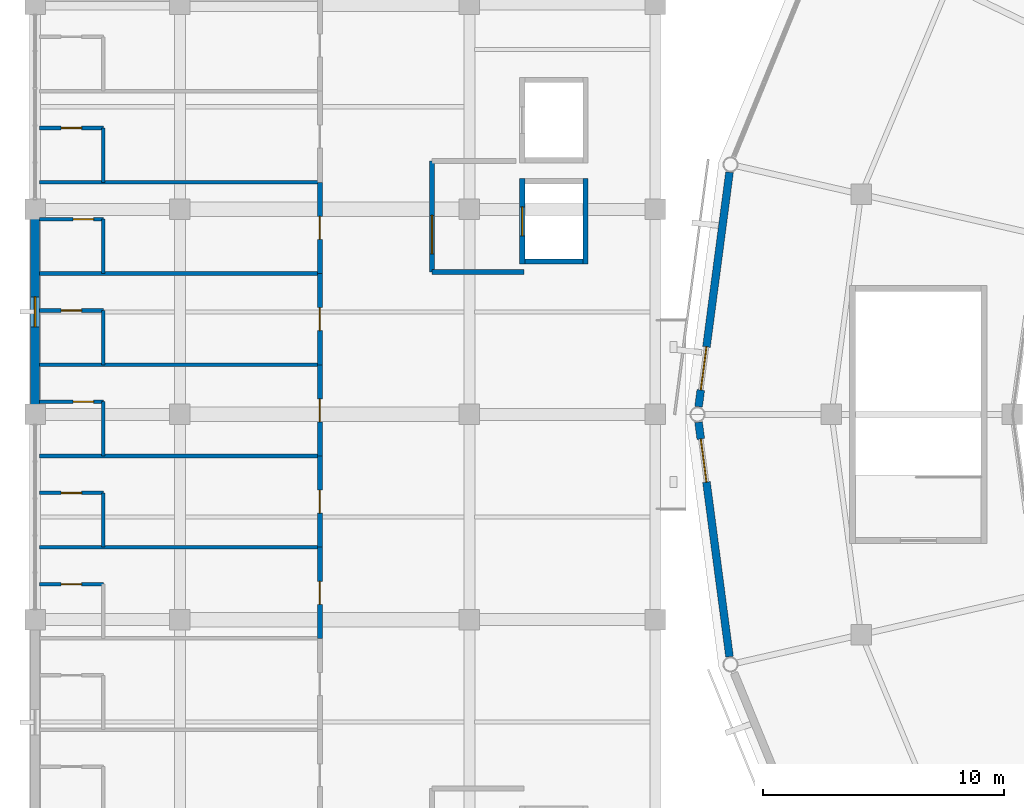
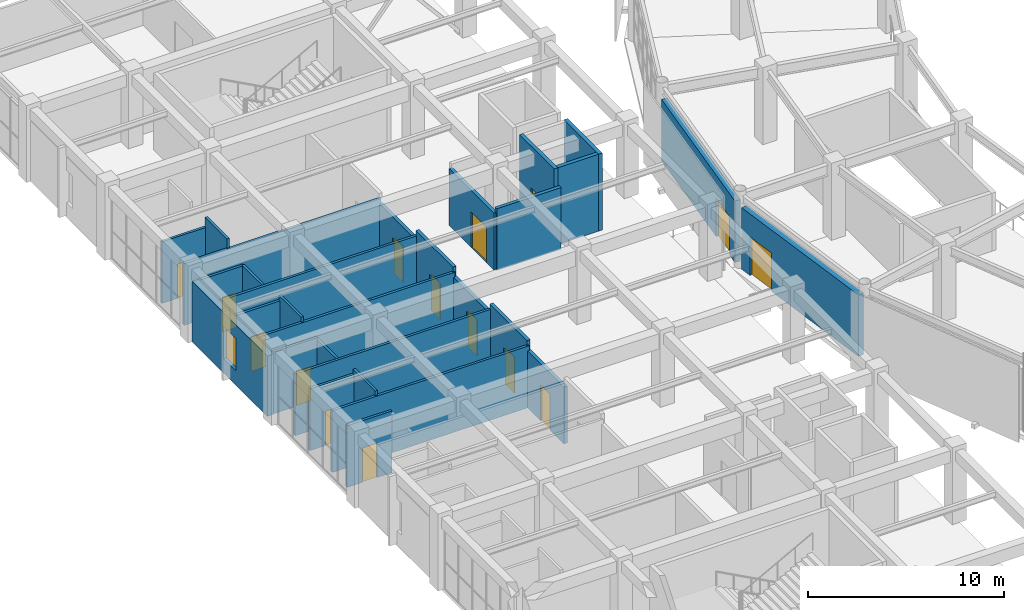
# One storey, part 83 of 112: 29 walls, 15 doors, 1 window, 16 openings.
"""IFC4 building model written with IfcOpenShell, lengths in metres."""

import ifcopenshell
import ifcopenshell.guid

model = None  # the IFC model being written
_history = None  # IfcOwnerHistory: only IFC2X3 demands one
_inside = {}  # id of a spatial element -> (the spatial element, [elements in it])
_under = {}  # id of a project, library or spatial element -> (it, [spatial elements below it])
_declared = {}  # id of a project -> (the project, [libraries it declares])
_typed = {}  # id of a type object -> (the type object, [elements of that type])
_made_of = {}  # id of a material, layer set ... -> (it, [elements and type objects made of it])


def new_model(schema):
    """Start an empty IFC model of exactly this schema.

    Asked for "IFC4X3", IfcOpenShell would pick the latest addendum, in which some entities
    have other attributes; the version numbers below select the first issue.
    IFC2X3 requires an IfcOwnerHistory on every rooted entity: one is made here for all.
    """
    global model, _history
    if schema == "IFC4X3":
        model = ifcopenshell.file(schema_version=(4, 3, 0, 0))
    else:
        model = ifcopenshell.file(schema=schema)
    _inside.clear()
    _under.clear()
    _declared.clear()
    _typed.clear()
    _made_of.clear()
    _history = None
    if model.schema == "IFC2X3":
        org = make("IfcOrganization", Name="unknown")
        user = make(
            "IfcPersonAndOrganization",
            ThePerson=make("IfcPerson", FamilyName="unknown"),
            TheOrganization=org,
        )
        app = make(
            "IfcApplication",
            ApplicationDeveloper=org,
            Version="unknown",
            ApplicationFullName="unknown",
            ApplicationIdentifier="unknown",
        )
        _history = make(
            "IfcOwnerHistory",
            OwningUser=user,
            OwningApplication=app,
            ChangeAction="ADDED",
            CreationDate=0,
        )
    return model


def make(cls, **values):
    """One entity of the class cls with the attributes given. An attribute that is None is left unset."""
    return model.create_entity(
        cls, **{name: value for name, value in values.items() if value is not None}
    )


def rooted(cls, **values):
    """An entity with a GlobalId (a new one), such as an element, a storey or a relation."""
    return make(cls, GlobalId=ifcopenshell.guid.new(), OwnerHistory=_history, **values)


def si_unit(unit_type, name, prefix=None):
    """IfcSIUnit, for example si_unit("LENGTHUNIT", "METRE", prefix="MILLI")."""
    return make("IfcSIUnit", UnitType=unit_type, Prefix=prefix, Name=name)


def assignment(units):
    """IfcUnitAssignment: the units of a project."""
    return None if units is None else make("IfcUnitAssignment", Units=units)


def point(xyz):
    """IfcCartesianPoint."""
    return None if xyz is None else make("IfcCartesianPoint", Coordinates=xyz)


def direction(xyz):
    """IfcDirection."""
    return None if xyz is None else make("IfcDirection", DirectionRatios=xyz)


def frame(location, z_axis=None, x_axis=None):
    """IfcAxis2Placement3D, a coordinate frame: its origin and axes. An axis left out is left unset."""
    return make(
        "IfcAxis2Placement3D",
        Location=point(location),
        Axis=direction(z_axis),
        RefDirection=direction(x_axis),
    )


def frame_2d(location, x_axis=None):
    """IfcAxis2Placement2D, a coordinate frame in the plane: its origin and x axis."""
    return make(
        "IfcAxis2Placement2D", Location=point(location), RefDirection=direction(x_axis)
    )


def origin():
    """The frame at (0, 0, 0) with its axes left unset."""
    return frame((0.0, 0.0, 0.0))


def place(relative_to, where):
    """IfcLocalPlacement: puts the frame where relative to a parent placement (None: the world)."""
    return make(
        "IfcLocalPlacement", PlacementRelTo=relative_to, RelativePlacement=where
    )


def context(
    kind, dimensions, precision=None, world=None, true_north=None, identifier=None
):
    """IfcGeometricRepresentationContext, for example the 3D "Model" context."""
    return make(
        "IfcGeometricRepresentationContext",
        ContextIdentifier=identifier,
        ContextType=kind,
        CoordinateSpaceDimension=dimensions,
        Precision=precision,
        WorldCoordinateSystem=world,
        TrueNorth=true_north,
    )


def subcontext(parent, identifier, kind, view, scale=None):
    """IfcGeometricRepresentationSubContext, for example "Body" below "Model"."""
    return make(
        "IfcGeometricRepresentationSubContext",
        ContextIdentifier=identifier,
        ContextType=kind,
        ParentContext=parent,
        TargetScale=scale,
        TargetView=view,
    )


def project(units=None, contexts=None):
    """IfcProject with its units and contexts."""
    return rooted(
        "IfcProject",
        Name="project",
        RepresentationContexts=contexts,
        UnitsInContext=assignment(units),
    )


def spatial(cls, under=None, at=None, **own):
    """A site, building, storey or space (cls), placed at a placement, below another one or the project."""
    s = rooted(cls, ObjectPlacement=at, **own)
    if under is not None:
        _under.setdefault(under.id(), (under, []))[1].append(s)
    return s


def profile(cls, at=None, kind="AREA", **sizes):
    """A parametric profile (cls). Its sizes go by their IFC names, for example OverallWidth=200.0."""
    return make(cls, ProfileType=kind, Position=at, **sizes)


def rectangle(**sizes):
    """IfcRectangleProfileDef."""
    return profile("IfcRectangleProfileDef", **sizes)


def extrude(swept, where, along, depth):
    """IfcExtrudedAreaSolid: the profile swept, set in the frame where, extruded along a direction by depth."""
    return make(
        "IfcExtrudedAreaSolid",
        SweptArea=swept,
        Position=where,
        ExtrudedDirection=direction(along),
        Depth=depth,
    )


def shape(context_of_items, identifier, shape_type, items):
    """IfcShapeRepresentation: the items that make up one representation, for example the "Body"."""
    return make(
        "IfcShapeRepresentation",
        ContextOfItems=context_of_items,
        RepresentationIdentifier=identifier,
        RepresentationType=shape_type,
        Items=items,
    )


def material(Name=None, Category=None):
    """IfcMaterial."""
    return make("IfcMaterial", Name=Name, Category=Category)


def layer(
    of_material, thickness, ventilated=None, Name=None, Category=None, Priority=None
):
    """IfcMaterialLayer: one layer of a wall or slab, of a material (None: an air gap)."""
    return make(
        "IfcMaterialLayer",
        Material=of_material,
        LayerThickness=thickness,
        IsVentilated=ventilated,
        Name=Name,
        Category=Category,
        Priority=Priority,
    )


def layer_set(layers, Name=None):
    """IfcMaterialLayerSet."""
    return make("IfcMaterialLayerSet", MaterialLayers=layers, LayerSetName=Name)


def made_of(thing, what):
    """Note that an element or type object is made of a material, layer set ...; save() writes the relation."""
    if what is not None:
        _made_of.setdefault(what.id(), (what, []))[1].append(thing)
    return thing


def type_object(cls, material=None, **own):
    """A type object (cls), such as IfcWallType, which elements share."""
    return made_of(rooted(cls, **own), material)


def element(
    cls,
    number,
    at=None,
    inside=None,
    cuts=None,
    type_object=None,
    material=None,
    context=None,
    identifier="Body",
    shape_type=None,
    held_by="IfcProductDefinitionShape",
    body=None,
    shapes=None,
    **own,
):
    """One element of the class cls, such as IfcWall. Its Tag is "e" and its number.

    at: its placement. inside: the storey or other place that contains it. cuts: it is an
    opening in that element (IfcRelVoidsElement). A single representation is given by context,
    identifier, shape_type and body (its items); several are given by shapes. held_by: the class
    of the entity that holds the representations. save() writes the other relations.
    """
    e = rooted(cls, Tag="e%d" % number, ObjectPlacement=at, **own)
    if body is not None:
        shapes = [shape(context, identifier, shape_type, body)]
    if shapes is not None:
        e.Representation = make(held_by, Representations=shapes)
    if inside is not None:
        _inside.setdefault(inside.id(), (inside, []))[1].append(e)
    if cuts is not None:
        rooted(
            "IfcRelVoidsElement", RelatingBuildingElement=cuts, RelatedOpeningElement=e
        )
    if type_object is not None:
        _typed.setdefault(type_object.id(), (type_object, []))[1].append(e)
    return made_of(e, material)


def fill(opening, filler):
    """IfcRelFillsElement: the door or window that sits in an opening."""
    return rooted(
        "IfcRelFillsElement",
        RelatingOpeningElement=opening,
        RelatedBuildingElement=filler,
    )


def aggregate(whole, parts):
    """IfcRelAggregates: a whole, such as a stair, and the parts it consists of."""
    return rooted("IfcRelAggregates", RelatingObject=whole, RelatedObjects=parts)


def save(model, path):
    """Write the relations noted so far, then the file.

    IfcRelAggregates (storeys below a building ...), IfcRelContainedInSpatialStructure (elements
    in a storey), IfcRelDefinesByType, IfcRelAssociatesMaterial and IfcRelDeclares: one each for
    every whole, place, type object, material and project.
    """
    for whole, parts in _under.values():
        aggregate(whole, parts)
    for where, things in _inside.values():
        rooted(
            "IfcRelContainedInSpatialStructure",
            RelatedElements=things,
            RelatingStructure=where,
        )
    for kind, things in _typed.values():
        rooted("IfcRelDefinesByType", RelatedObjects=things, RelatingType=kind)
    for what, things in _made_of.values():
        rooted("IfcRelAssociatesMaterial", RelatedObjects=things, RelatingMaterial=what)
    for by, libraries in _declared.values():
        rooted("IfcRelDeclares", RelatingContext=by, RelatedDefinitions=libraries)
    model.write(path)


model = new_model("IFC4")

# Units and contexts
model_context = context("Model", 3, precision=1e-05, world=origin(), true_north=direction((0.0, 1.0)))
body_context = subcontext(model_context, "Body", "Model", "MODEL_VIEW")
ifc_project = project(units=[si_unit("LENGTHUNIT", "METRE"), si_unit("AREAUNIT", "SQUARE_METRE"), si_unit("VOLUMEUNIT", "CUBIC_METRE"), si_unit("PLANEANGLEUNIT", "RADIAN"), si_unit("MASSUNIT", "GRAM", prefix="KILO")], contexts=[model_context])

# Site, building, storey
site_placement = place(None, origin())
site = spatial("IfcSite", under=ifc_project, at=site_placement, CompositionType="ELEMENT")
building_placement = place(site_placement, origin())
building = spatial("IfcBuilding", under=site, at=building_placement, Name="Cuetzalor Civic Arena", CompositionType="ELEMENT")
storey_placement = place(building_placement, frame((0.0, 0.0, 11.39990234375)))
storey = spatial("IfcBuildingStorey", under=building, at=storey_placement, Name="L02", CompositionType="ELEMENT", Elevation=11.39990234375)

# Wall, opening, door
ifc_material_1 = material(Name="Acoustic steel-stud gypsum partition", Category="steel")
ifc_layer_1 = layer(ifc_material_1, 0.14990234375)
ifc_layer_set_1 = layer_set([ifc_layer_1], Name="Acoustic steel-stud gypsum partition")
wall_type_1 = type_object("IfcWallType", Name="AcousticGypsumPartition_150", PredefinedType="PARTITIONING", material=ifc_layer_set_1)
wall_1_placement = place(storey_placement, frame((-81.820068359375, -7.030029296875, 0.0), z_axis=(0.0, 0.0, 1.0), x_axis=(1.0, 0.0, 0.0)))
wall_1 = element("IfcWall", 1, at=wall_1_placement, inside=storey, type_object=wall_type_1, Name="Interior Partition IWALL:L02:0285", PredefinedType="PARTITIONING", context=body_context, shape_type="SweptSolid", body=[
    extrude(rectangle(XDim=2.650146484375, YDim=0.14990234375, at=frame_2d((1.3251953125, 0.0))), origin(), (0.0, 0.0, 1.0), 3.84521484375),
])
opening_1_placement = place(wall_1_placement, frame((0.89990234375, 0.0, 0.0)))
opening_1 = element("IfcOpeningElement", 2, at=opening_1_placement, cuts=wall_1, Name="Opening ID-01", PredefinedType="OPENING", context=body_context, shape_type="SweptSolid", body=[
    extrude(rectangle(XDim=0.85009765625, YDim=2.14990234375, at=frame_2d((0.425048828125, 1.074951171875))), frame((0.0, 0.0849609375, 0.0), z_axis=(0.0, -1.0, 0.0), x_axis=(1.0, 0.0, 0.0)), (0.0, 0.0, 1.0), 0.169921875),
])
ifc_material_2 = material(Name="Painted steel frame and solid timber leaf", Category="steel")
door_type_1 = type_object("IfcDoorType", Name="InteriorSingleDoor_850x2150", OperationType="NOTDEFINED", PredefinedType="DOOR", material=ifc_material_2)
door_1_placement = place(opening_1_placement, origin())
door_1 = element("IfcDoor", 3, at=door_1_placement, inside=storey, type_object=door_type_1, Name="Door to Suite Bathroom 205", OperationType="SINGLE_SWING_RIGHT", OverallHeight=2.14990234375, OverallWidth=0.85009765625, PredefinedType="DOOR", context=body_context, shape_type="SweptSolid", body=[
    extrude(rectangle(XDim=0.85009765625, YDim=2.14990234375, at=frame_2d((0.425048828125, 1.074951171875))), frame((0.0, 0.02490234375, 0.0), z_axis=(0.0, -1.0, 0.0), x_axis=(1.0, 0.0, 0.0)), (0.0, 0.0, 1.0), 0.050048828125),
])
fill(opening_1, door_1)

# Wall
wall_2_placement = place(storey_placement, frame((-81.820068359375, -5.5, 0.0), z_axis=(0.0, 0.0, 1.0), x_axis=(1.0, 0.0, 0.0)))
element("IfcWall", 4, at=wall_2_placement, inside=storey, type_object=wall_type_1, Name="Interior Partition IWALL:L02:0288", PredefinedType="PARTITIONING", context=body_context, shape_type="SweptSolid", body=[
    extrude(rectangle(XDim=11.6201171875, YDim=0.14990234375, at=frame_2d((5.81005859375, 0.0))), origin(), (0.0, 0.0, 1.0), 3.84521484375),
])

# Wall, opening, door
wall_3_placement = place(storey_placement, frame((-81.820068359375, -3.25, 0.0), z_axis=(0.0, 0.0, 1.0), x_axis=(1.0, 0.0, 0.0)))
wall_3 = element("IfcWall", 5, at=wall_3_placement, inside=storey, type_object=wall_type_1, Name="Interior Partition IWALL:L02:0289", PredefinedType="PARTITIONING", context=body_context, shape_type="SweptSolid", body=[
    extrude(rectangle(XDim=2.650146484375, YDim=0.14990234375, at=frame_2d((1.3251953125, 0.0))), origin(), (0.0, 0.0, 1.0), 3.84521484375),
])
opening_2_placement = place(wall_3_placement, frame((0.89990234375, 0.0, 0.0)))
opening_2 = element("IfcOpeningElement", 6, at=opening_2_placement, cuts=wall_3, Name="Opening ID-01", PredefinedType="OPENING", context=body_context, shape_type="SweptSolid", body=[
    extrude(rectangle(XDim=0.85009765625, YDim=2.14990234375, at=frame_2d((0.425048828125, 1.074951171875))), frame((0.0, 0.0849609375, 0.0), z_axis=(0.0, -1.0, 0.0), x_axis=(1.0, 0.0, 0.0)), (0.0, 0.0, 1.0), 0.169921875),
])
door_2_placement = place(opening_2_placement, origin())
door_2 = element("IfcDoor", 7, at=door_2_placement, inside=storey, type_object=door_type_1, Name="Door to Suite Bathroom 206", OperationType="SINGLE_SWING_RIGHT", OverallHeight=2.14990234375, OverallWidth=0.85009765625, PredefinedType="DOOR", context=body_context, shape_type="SweptSolid", body=[
    extrude(rectangle(XDim=0.85009765625, YDim=2.14990234375, at=frame_2d((0.425048828125, 1.074951171875))), frame((0.0, 0.02490234375, 0.0), z_axis=(0.0, -1.0, 0.0), x_axis=(1.0, 0.0, 0.0)), (0.0, 0.0, 1.0), 0.050048828125),
])
fill(opening_2, door_2)

# Walls
wall_4_placement = place(storey_placement, frame((-79.169921875, -3.25, 0.0), z_axis=(0.0, 0.0, 1.0), x_axis=(0.0, -1.0, 0.0)))
element("IfcWall", 8, at=wall_4_placement, inside=storey, type_object=wall_type_1, Name="Interior Partition IWALL:L02:0290", PredefinedType="PARTITIONING", context=body_context, shape_type="SweptSolid", body=[
    extrude(rectangle(XDim=2.25, YDim=0.14990234375, at=frame_2d((1.125, 0.0))), origin(), (0.0, 0.0, 1.0), 4.14013671875),
])
wall_5_placement = place(storey_placement, frame((-81.820068359375, -1.719970703125, 0.0), z_axis=(0.0, 0.0, 1.0), x_axis=(1.0, 0.0, 0.0)))
element("IfcWall", 9, at=wall_5_placement, inside=storey, type_object=wall_type_1, Name="Interior Partition IWALL:L02:0292", PredefinedType="PARTITIONING", context=body_context, shape_type="SweptSolid", body=[
    extrude(rectangle(XDim=11.6201171875, YDim=0.14990234375, at=frame_2d((5.81005859375, 0.0))), origin(), (0.0, 0.0, 1.0), 3.84521484375),
])

# Wall, opening, door
wall_6_placement = place(storey_placement, frame((-81.820068359375, 0.530029296875, 0.0), z_axis=(0.0, 0.0, 1.0), x_axis=(1.0, 0.0, 0.0)))
wall_6 = element("IfcWall", 10, at=wall_6_placement, inside=storey, type_object=wall_type_1, Name="Interior Partition IWALL:L02:0293", PredefinedType="PARTITIONING", context=body_context, shape_type="SweptSolid", body=[
    extrude(rectangle(XDim=2.650146484375, YDim=0.14990234375, at=frame_2d((1.3251953125, 0.0))), origin(), (0.0, 0.0, 1.0), 3.84521484375),
])
opening_3_placement = place(wall_6_placement, frame((1.39990234375, 0.0, 0.0)))
opening_3 = element("IfcOpeningElement", 11, at=opening_3_placement, cuts=wall_6, Name="Opening ID-01", PredefinedType="OPENING", context=body_context, shape_type="SweptSolid", body=[
    extrude(rectangle(XDim=0.85009765625, YDim=2.14990234375, at=frame_2d((0.425048828125, 1.074951171875))), frame((0.0, 0.0849609375, 0.0), z_axis=(0.0, -1.0, 0.0), x_axis=(1.0, 0.0, 0.0)), (0.0, 0.0, 1.0), 0.169921875),
])
door_3_placement = place(opening_3_placement, origin())
door_3 = element("IfcDoor", 12, at=door_3_placement, inside=storey, type_object=door_type_1, Name="Door to Suite Bathroom 207", OperationType="SINGLE_SWING_RIGHT", OverallHeight=2.14990234375, OverallWidth=0.85009765625, PredefinedType="DOOR", context=body_context, shape_type="SweptSolid", body=[
    extrude(rectangle(XDim=0.85009765625, YDim=2.14990234375, at=frame_2d((0.425048828125, 1.074951171875))), frame((0.0, 0.02490234375, 0.0), z_axis=(0.0, -1.0, 0.0), x_axis=(1.0, 0.0, 0.0)), (0.0, 0.0, 1.0), 0.050048828125),
])
fill(opening_3, door_3)

# Walls
wall_7_placement = place(storey_placement, frame((-79.169921875, 0.530029296875, 0.0), z_axis=(0.0, 0.0, 1.0), x_axis=(0.0, -1.0, 0.0)))
element("IfcWall", 13, at=wall_7_placement, inside=storey, type_object=wall_type_1, Name="Interior Partition IWALL:L02:0294", PredefinedType="PARTITIONING", context=body_context, shape_type="SweptSolid", body=[
    extrude(rectangle(XDim=2.25, YDim=0.14990234375, at=frame_2d((1.125, 0.0))), origin(), (0.0, 0.0, 1.0), 3.7451171875),
])
wall_8_placement = place(storey_placement, frame((-81.820068359375, 2.06005859375, 0.0), z_axis=(0.0, 0.0, 1.0), x_axis=(1.0, 0.0, 0.0)))
element("IfcWall", 14, at=wall_8_placement, inside=storey, type_object=wall_type_1, Name="Interior Partition IWALL:L02:0296", PredefinedType="PARTITIONING", context=body_context, shape_type="SweptSolid", body=[
    extrude(rectangle(XDim=11.6201171875, YDim=0.14990234375, at=frame_2d((5.81005859375, 0.0))), origin(), (0.0, 0.0, 1.0), 3.84521484375),
])

# Wall, opening, door
wall_9_placement = place(storey_placement, frame((-81.820068359375, 4.31005859375, 0.0), z_axis=(0.0, 0.0, 1.0), x_axis=(1.0, 0.0, 0.0)))
wall_9 = element("IfcWall", 15, at=wall_9_placement, inside=storey, type_object=wall_type_1, Name="Interior Partition IWALL:L02:0297", PredefinedType="PARTITIONING", context=body_context, shape_type="SweptSolid", body=[
    extrude(rectangle(XDim=2.650146484375, YDim=0.14990234375, at=frame_2d((1.3251953125, 0.0))), origin(), (0.0, 0.0, 1.0), 3.84521484375),
])
opening_4_placement = place(wall_9_placement, frame((0.89990234375, 0.0, 0.0)))
opening_4 = element("IfcOpeningElement", 16, at=opening_4_placement, cuts=wall_9, Name="Opening ID-01", PredefinedType="OPENING", context=body_context, shape_type="SweptSolid", body=[
    extrude(rectangle(XDim=0.85009765625, YDim=2.14990234375, at=frame_2d((0.425048828125, 1.074951171875))), frame((0.0, 0.0849609375, 0.0), z_axis=(0.0, -1.0, 0.0), x_axis=(1.0, 0.0, 0.0)), (0.0, 0.0, 1.0), 0.169921875),
])
door_4_placement = place(opening_4_placement, origin())
door_4 = element("IfcDoor", 17, at=door_4_placement, inside=storey, type_object=door_type_1, Name="Door to Suite Bathroom 208", OperationType="SINGLE_SWING_RIGHT", OverallHeight=2.14990234375, OverallWidth=0.85009765625, PredefinedType="DOOR", context=body_context, shape_type="SweptSolid", body=[
    extrude(rectangle(XDim=0.85009765625, YDim=2.14990234375, at=frame_2d((0.425048828125, 1.074951171875))), frame((0.0, 0.02490234375, 0.0), z_axis=(0.0, -1.0, 0.0), x_axis=(1.0, 0.0, 0.0)), (0.0, 0.0, 1.0), 0.050048828125),
])
fill(opening_4, door_4)

# Walls
wall_10_placement = place(storey_placement, frame((-79.169921875, 4.31005859375, 0.0), z_axis=(0.0, 0.0, 1.0), x_axis=(0.0, -1.0, 0.0)))
element("IfcWall", 18, at=wall_10_placement, inside=storey, type_object=wall_type_1, Name="Interior Partition IWALL:L02:0298", PredefinedType="PARTITIONING", context=body_context, shape_type="SweptSolid", body=[
    extrude(rectangle(XDim=2.25, YDim=0.14990234375, at=frame_2d((1.125, 0.0))), origin(), (0.0, 0.0, 1.0), 4.14013671875),
])
wall_11_placement = place(storey_placement, frame((-81.820068359375, 5.840087890625, 0.0), z_axis=(0.0, 0.0, 1.0), x_axis=(1.0, 0.0, 0.0)))
element("IfcWall", 19, at=wall_11_placement, inside=storey, type_object=wall_type_1, Name="Interior Partition IWALL:L02:0300", PredefinedType="PARTITIONING", context=body_context, shape_type="SweptSolid", body=[
    extrude(rectangle(XDim=11.6201171875, YDim=0.14990234375, at=frame_2d((5.81005859375, 0.0))), origin(), (0.0, 0.0, 1.0), 3.84521484375),
])

# Wall, opening, door
wall_12_placement = place(storey_placement, frame((-81.820068359375, 8.090087890625, 0.0), z_axis=(0.0, 0.0, 1.0), x_axis=(1.0, 0.0, 0.0)))
wall_12 = element("IfcWall", 20, at=wall_12_placement, inside=storey, type_object=wall_type_1, Name="Interior Partition IWALL:L02:0301", PredefinedType="PARTITIONING", context=body_context, shape_type="SweptSolid", body=[
    extrude(rectangle(XDim=2.650146484375, YDim=0.14990234375, at=frame_2d((1.3251953125, 0.0))), origin(), (0.0, 0.0, 1.0), 3.7451171875),
])
opening_5_placement = place(wall_12_placement, frame((1.39990234375, 0.0, 0.0)))
opening_5 = element("IfcOpeningElement", 21, at=opening_5_placement, cuts=wall_12, Name="Opening ID-01", PredefinedType="OPENING", context=body_context, shape_type="SweptSolid", body=[
    extrude(rectangle(XDim=0.85009765625, YDim=2.14990234375, at=frame_2d((0.425048828125, 1.074951171875))), frame((0.0, 0.0849609375, 0.0), z_axis=(0.0, -1.0, 0.0), x_axis=(1.0, 0.0, 0.0)), (0.0, 0.0, 1.0), 0.169921875),
])
door_5_placement = place(opening_5_placement, origin())
door_5 = element("IfcDoor", 22, at=door_5_placement, inside=storey, type_object=door_type_1, Name="Door to Suite Bathroom 209", OperationType="SINGLE_SWING_RIGHT", OverallHeight=2.14990234375, OverallWidth=0.85009765625, PredefinedType="DOOR", context=body_context, shape_type="SweptSolid", body=[
    extrude(rectangle(XDim=0.85009765625, YDim=2.14990234375, at=frame_2d((0.425048828125, 1.074951171875))), frame((0.0, 0.02490234375, 0.0), z_axis=(0.0, -1.0, 0.0), x_axis=(1.0, 0.0, 0.0)), (0.0, 0.0, 1.0), 0.050048828125),
])
fill(opening_5, door_5)

# Walls
wall_13_placement = place(storey_placement, frame((-79.169921875, 8.090087890625, 0.0), z_axis=(0.0, 0.0, 1.0), x_axis=(0.0, -1.0, 0.0)))
element("IfcWall", 23, at=wall_13_placement, inside=storey, type_object=wall_type_1, Name="Interior Partition IWALL:L02:0302", PredefinedType="PARTITIONING", context=body_context, shape_type="SweptSolid", body=[
    extrude(rectangle(XDim=2.25, YDim=0.14990234375, at=frame_2d((1.125, 0.0))), origin(), (0.0, 0.0, 1.0), 3.7451171875),
])
wall_14_placement = place(storey_placement, frame((-81.820068359375, 9.6201171875, 0.0), z_axis=(0.0, 0.0, 1.0), x_axis=(1.0, 0.0, 0.0)))
element("IfcWall", 24, at=wall_14_placement, inside=storey, type_object=wall_type_1, Name="Interior Partition IWALL:L02:0304", PredefinedType="PARTITIONING", context=body_context, shape_type="SweptSolid", body=[
    extrude(rectangle(XDim=11.6201171875, YDim=0.14990234375, at=frame_2d((5.81005859375, 0.0))), origin(), (0.0, 0.0, 1.0), 3.84521484375),
])

# Wall, opening, door
wall_15_placement = place(storey_placement, frame((-81.820068359375, 11.8701171875, 0.0), z_axis=(0.0, 0.0, 1.0), x_axis=(1.0, 0.0, 0.0)))
wall_15 = element("IfcWall", 25, at=wall_15_placement, inside=storey, type_object=wall_type_1, Name="Interior Partition IWALL:L02:0305", PredefinedType="PARTITIONING", context=body_context, shape_type="SweptSolid", body=[
    extrude(rectangle(XDim=2.650146484375, YDim=0.14990234375, at=frame_2d((1.3251953125, 0.0))), origin(), (0.0, 0.0, 1.0), 3.84521484375),
])
opening_6_placement = place(wall_15_placement, frame((0.89990234375, 0.0, 0.0)))
opening_6 = element("IfcOpeningElement", 26, at=opening_6_placement, cuts=wall_15, Name="Opening ID-01", PredefinedType="OPENING", context=body_context, shape_type="SweptSolid", body=[
    extrude(rectangle(XDim=0.85009765625, YDim=2.14990234375, at=frame_2d((0.425048828125, 1.074951171875))), frame((0.0, 0.0849609375, 0.0), z_axis=(0.0, -1.0, 0.0), x_axis=(1.0, 0.0, 0.0)), (0.0, 0.0, 1.0), 0.169921875),
])
door_6_placement = place(opening_6_placement, origin())
door_6 = element("IfcDoor", 27, at=door_6_placement, inside=storey, type_object=door_type_1, Name="Door to Suite Bathroom 210", OperationType="SINGLE_SWING_RIGHT", OverallHeight=2.14990234375, OverallWidth=0.85009765625, PredefinedType="DOOR", context=body_context, shape_type="SweptSolid", body=[
    extrude(rectangle(XDim=0.85009765625, YDim=2.14990234375, at=frame_2d((0.425048828125, 1.074951171875))), frame((0.0, 0.02490234375, 0.0), z_axis=(0.0, -1.0, 0.0), x_axis=(1.0, 0.0, 0.0)), (0.0, 0.0, 1.0), 0.050048828125),
])
fill(opening_6, door_6)

# Wall
wall_16_placement = place(storey_placement, frame((-79.169921875, 11.8701171875, 0.0), z_axis=(0.0, 0.0, 1.0), x_axis=(0.0, -1.0, 0.0)))
element("IfcWall", 28, at=wall_16_placement, inside=storey, type_object=wall_type_1, Name="Interior Partition IWALL:L02:0306", PredefinedType="PARTITIONING", context=body_context, shape_type="SweptSolid", body=[
    extrude(rectangle(XDim=2.25, YDim=0.14990234375, at=frame_2d((1.125, 0.0))), origin(), (0.0, 0.0, 1.0), 4.440185546875),
])

# Wall, opening, door
ifc_material_3 = material(Name="Fire-rated masonry and gypsum partition", Category="masonry")
ifc_layer_2 = layer(ifc_material_3, 0.199951171875)
ifc_layer_set_2 = layer_set([ifc_layer_2], Name="Fire-rated masonry and gypsum partition")
wall_type_2 = type_object("IfcWallType", Name="FireCompartmentWall_200", PredefinedType="PARTITIONING", material=ifc_layer_set_2)
wall_17_placement = place(storey_placement, frame((-65.550048828125, 5.89990234375, 0.0), z_axis=(0.0, 0.0, 1.0), x_axis=(0.0, 1.0, 0.0)))
wall_17 = element("IfcWall", 29, at=wall_17_placement, inside=storey, type_object=wall_type_2, Name="Interior Partition IWALL:L02:0025", PredefinedType="PARTITIONING", context=body_context, shape_type="SweptSolid", body=[
    extrude(rectangle(XDim=4.60009765625, YDim=0.199951171875, at=frame_2d((2.300048828125, 0.0))), origin(), (0.0, 0.0, 1.0), 3.545166015625),
])
opening_7_placement = place(wall_17_placement, frame((0.75, 0.0, 0.0)))
opening_7 = element("IfcOpeningElement", 30, at=opening_7_placement, cuts=wall_17, Name="Opening FD-05", PredefinedType="OPENING", context=body_context, shape_type="SweptSolid", body=[
    extrude(rectangle(XDim=1.60009765625, YDim=2.199951171875, at=frame_2d((0.800048828125, 1.10009765625))), frame((0.0, 0.10986328125, 0.0), z_axis=(0.0, -1.0, 0.0), x_axis=(1.0, 0.0, 0.0)), (0.0, 0.0, 1.0), 0.219970703125),
])
ifc_material_4 = material(Name="Fire-rated smoke-seal lobby double door", Category="steel")
door_type_2 = type_object("IfcDoorType", Name="FireLobbyDoubleDoor_1600x2200", OperationType="DOUBLE_DOOR_SINGLE_SWING", PredefinedType="DOOR", material=ifc_material_4)
door_7_placement = place(opening_7_placement, origin())
door_7 = element("IfcDoor", 31, at=door_7_placement, inside=storey, type_object=door_type_2, Name="Door to Firefighting Lift Lobby LF-02 L02", OperationType="DOUBLE_DOOR_SINGLE_SWING", OverallHeight=2.199951171875, OverallWidth=1.60009765625, PredefinedType="DOOR", context=body_context, shape_type="SweptSolid", body=[
    extrude(rectangle(XDim=1.60009765625, YDim=2.199951171875, at=frame_2d((0.800048828125, 1.10009765625))), frame((0.0, 0.02490234375, 0.0), z_axis=(0.0, -1.0, 0.0), x_axis=(1.0, 0.0, 0.0)), (0.0, 0.0, 1.0), 0.050048828125),
])
fill(opening_7, door_7)

# Wall
wall_18_placement = place(storey_placement, frame((-61.75, 5.89990234375, 0.0), z_axis=(0.0, 0.0, 1.0), x_axis=(-1.0, 0.0, 0.0)))
element("IfcWall", 32, at=wall_18_placement, inside=storey, type_object=wall_type_2, Name="Interior Partition IWALL:L02:0027", PredefinedType="PARTITIONING", context=body_context, shape_type="SweptSolid", body=[
    extrude(rectangle(XDim=3.800048828125, YDim=0.199951171875, at=frame_2d((1.89990234375, 0.0))), origin(), (0.0, 0.0, 1.0), 3.84521484375),
])

# Wall, opening, door
wall_19_placement = place(storey_placement, frame((-70.199951171875, -5.5, 0.0), z_axis=(0.0, 0.0, 1.0), x_axis=(0.0, -1.0, 0.0)))
wall_19 = element("IfcWall", 33, at=wall_19_placement, inside=storey, type_object=wall_type_2, Name="Interior Partition IWALL:L02:0287", PredefinedType="PARTITIONING", context=body_context, shape_type="SweptSolid", body=[
    extrude(rectangle(XDim=3.780029296875, YDim=0.199951171875, at=frame_2d((1.89013671875, 0.0))), origin(), (0.0, 0.0, 1.0), 3.545166015625),
])
opening_8_placement = place(wall_19_placement, frame((1.4150390625, 0.0, 0.0)))
opening_8 = element("IfcOpeningElement", 34, at=opening_8_placement, cuts=wall_19, Name="Opening ID-05", PredefinedType="OPENING", context=body_context, shape_type="SweptSolid", body=[
    extrude(rectangle(XDim=0.949951171875, YDim=2.25, at=frame_2d((0.47509765625, 1.125))), frame((0.0, 0.10986328125, 0.0), z_axis=(0.0, -1.0, 0.0), x_axis=(1.0, 0.0, 0.0)), (0.0, 0.0, 1.0), 0.219970703125),
])
ifc_material_5 = material(Name="Bronze-clad fire-rated acoustic timber door", Category="wood")
door_type_3 = type_object("IfcDoorType", Name="SuiteEntryDoor_950x2150", OperationType="NOTDEFINED", PredefinedType="DOOR", material=ifc_material_5)
door_8_placement = place(opening_8_placement, origin())
door_8 = element("IfcDoor", 35, at=door_8_placement, inside=storey, type_object=door_type_3, Name="Door to Private Viewing Suite 205", OperationType="SINGLE_SWING_LEFT", OverallHeight=2.25, OverallWidth=0.949951171875, PredefinedType="DOOR", context=body_context, shape_type="SweptSolid", body=[
    extrude(rectangle(XDim=0.949951171875, YDim=2.25, at=frame_2d((0.47509765625, 1.125))), frame((0.0, 0.02490234375, 0.0), z_axis=(0.0, -1.0, 0.0), x_axis=(1.0, 0.0, 0.0)), (0.0, 0.0, 1.0), 0.050048828125),
])
fill(opening_8, door_8)

wall_20_placement = place(storey_placement, frame((-70.199951171875, -1.719970703125, 0.0), z_axis=(0.0, 0.0, 1.0), x_axis=(0.0, -1.0, 0.0)))
wall_20 = element("IfcWall", 36, at=wall_20_placement, inside=storey, type_object=wall_type_2, Name="Interior Partition IWALL:L02:0291", PredefinedType="PARTITIONING", context=body_context, shape_type="SweptSolid", body=[
    extrude(rectangle(XDim=3.780029296875, YDim=0.199951171875, at=frame_2d((1.89013671875, 0.0))), origin(), (0.0, 0.0, 1.0), 4.14013671875),
])
opening_9_placement = place(wall_20_placement, frame((1.4150390625, 0.0, 0.0)))
opening_9 = element("IfcOpeningElement", 37, at=opening_9_placement, cuts=wall_20, Name="Opening ID-05", PredefinedType="OPENING", context=body_context, shape_type="SweptSolid", body=[
    extrude(rectangle(XDim=0.949951171875, YDim=2.25, at=frame_2d((0.47509765625, 1.125))), frame((0.0, 0.10986328125, 0.0), z_axis=(0.0, -1.0, 0.0), x_axis=(1.0, 0.0, 0.0)), (0.0, 0.0, 1.0), 0.219970703125),
])
door_9_placement = place(opening_9_placement, origin())
door_9 = element("IfcDoor", 38, at=door_9_placement, inside=storey, type_object=door_type_3, Name="Door to Private Viewing Suite 206", OperationType="SINGLE_SWING_LEFT", OverallHeight=2.25, OverallWidth=0.949951171875, PredefinedType="DOOR", context=body_context, shape_type="SweptSolid", body=[
    extrude(rectangle(XDim=0.949951171875, YDim=2.25, at=frame_2d((0.47509765625, 1.125))), frame((0.0, 0.02490234375, 0.0), z_axis=(0.0, -1.0, 0.0), x_axis=(1.0, 0.0, 0.0)), (0.0, 0.0, 1.0), 0.050048828125),
])
fill(opening_9, door_9)

wall_21_placement = place(storey_placement, frame((-70.199951171875, 2.06005859375, 0.0), z_axis=(0.0, 0.0, 1.0), x_axis=(0.0, -1.0, 0.0)))
wall_21 = element("IfcWall", 39, at=wall_21_placement, inside=storey, type_object=wall_type_2, Name="Interior Partition IWALL:L02:0295", PredefinedType="PARTITIONING", context=body_context, shape_type="SweptSolid", body=[
    extrude(rectangle(XDim=3.780029296875, YDim=0.199951171875, at=frame_2d((1.89013671875, 0.0))), origin(), (0.0, 0.0, 1.0), 3.545166015625),
])
opening_10_placement = place(wall_21_placement, frame((1.4150390625, 0.0, 0.0)))
opening_10 = element("IfcOpeningElement", 40, at=opening_10_placement, cuts=wall_21, Name="Opening ID-05", PredefinedType="OPENING", context=body_context, shape_type="SweptSolid", body=[
    extrude(rectangle(XDim=0.949951171875, YDim=2.25, at=frame_2d((0.47509765625, 1.125))), frame((0.0, 0.10986328125, 0.0), z_axis=(0.0, -1.0, 0.0), x_axis=(1.0, 0.0, 0.0)), (0.0, 0.0, 1.0), 0.219970703125),
])
door_10_placement = place(opening_10_placement, origin())
door_10 = element("IfcDoor", 41, at=door_10_placement, inside=storey, type_object=door_type_3, Name="Door to Private Viewing Suite 207", OperationType="SINGLE_SWING_LEFT", OverallHeight=2.25, OverallWidth=0.949951171875, PredefinedType="DOOR", context=body_context, shape_type="SweptSolid", body=[
    extrude(rectangle(XDim=0.949951171875, YDim=2.25, at=frame_2d((0.47509765625, 1.125))), frame((0.0, 0.02490234375, 0.0), z_axis=(0.0, -1.0, 0.0), x_axis=(1.0, 0.0, 0.0)), (0.0, 0.0, 1.0), 0.050048828125),
])
fill(opening_10, door_10)

wall_22_placement = place(storey_placement, frame((-70.199951171875, 5.840087890625, 0.0), z_axis=(0.0, 0.0, 1.0), x_axis=(0.0, -1.0, 0.0)))
wall_22 = element("IfcWall", 42, at=wall_22_placement, inside=storey, type_object=wall_type_2, Name="Interior Partition IWALL:L02:0299", PredefinedType="PARTITIONING", context=body_context, shape_type="SweptSolid", body=[
    extrude(rectangle(XDim=3.780029296875, YDim=0.199951171875, at=frame_2d((1.89013671875, 0.0))), origin(), (0.0, 0.0, 1.0), 4.14013671875),
])
opening_11_placement = place(wall_22_placement, frame((1.4150390625, 0.0, 0.0)))
opening_11 = element("IfcOpeningElement", 43, at=opening_11_placement, cuts=wall_22, Name="Opening ID-05", PredefinedType="OPENING", context=body_context, shape_type="SweptSolid", body=[
    extrude(rectangle(XDim=0.949951171875, YDim=2.25, at=frame_2d((0.47509765625, 1.125))), frame((0.0, 0.10986328125, 0.0), z_axis=(0.0, -1.0, 0.0), x_axis=(1.0, 0.0, 0.0)), (0.0, 0.0, 1.0), 0.219970703125),
])
door_11_placement = place(opening_11_placement, origin())
door_11 = element("IfcDoor", 44, at=door_11_placement, inside=storey, type_object=door_type_3, Name="Door to Private Viewing Suite 208", OperationType="SINGLE_SWING_LEFT", OverallHeight=2.25, OverallWidth=0.949951171875, PredefinedType="DOOR", context=body_context, shape_type="SweptSolid", body=[
    extrude(rectangle(XDim=0.949951171875, YDim=2.25, at=frame_2d((0.47509765625, 1.125))), frame((0.0, 0.02490234375, 0.0), z_axis=(0.0, -1.0, 0.0), x_axis=(1.0, 0.0, 0.0)), (0.0, 0.0, 1.0), 0.050048828125),
])
fill(opening_11, door_11)

wall_23_placement = place(storey_placement, frame((-70.199951171875, 9.6201171875, 0.0), z_axis=(0.0, 0.0, 1.0), x_axis=(0.0, -1.0, 0.0)))
wall_23 = element("IfcWall", 45, at=wall_23_placement, inside=storey, type_object=wall_type_2, Name="Interior Partition IWALL:L02:0303", PredefinedType="PARTITIONING", context=body_context, shape_type="SweptSolid", body=[
    extrude(rectangle(XDim=3.780029296875, YDim=0.199951171875, at=frame_2d((1.89013671875, 0.0))), origin(), (0.0, 0.0, 1.0), 3.545166015625),
])
opening_12_placement = place(wall_23_placement, frame((1.4150390625, 0.0, 0.0)))
opening_12 = element("IfcOpeningElement", 46, at=opening_12_placement, cuts=wall_23, Name="Opening ID-05", PredefinedType="OPENING", context=body_context, shape_type="SweptSolid", body=[
    extrude(rectangle(XDim=0.949951171875, YDim=2.25, at=frame_2d((0.47509765625, 1.125))), frame((0.0, 0.10986328125, 0.0), z_axis=(0.0, -1.0, 0.0), x_axis=(1.0, 0.0, 0.0)), (0.0, 0.0, 1.0), 0.219970703125),
])
door_12_placement = place(opening_12_placement, origin())
door_12 = element("IfcDoor", 47, at=door_12_placement, inside=storey, type_object=door_type_3, Name="Door to Private Viewing Suite 209", OperationType="SINGLE_SWING_LEFT", OverallHeight=2.25, OverallWidth=0.949951171875, PredefinedType="DOOR", context=body_context, shape_type="SweptSolid", body=[
    extrude(rectangle(XDim=0.949951171875, YDim=2.25, at=frame_2d((0.47509765625, 1.125))), frame((0.0, 0.02490234375, 0.0), z_axis=(0.0, -1.0, 0.0), x_axis=(1.0, 0.0, 0.0)), (0.0, 0.0, 1.0), 0.050048828125),
])
fill(opening_12, door_12)

ifc_material_6 = material(Name="Precast concrete C40/50 insulated cladding", Category="concrete")
ifc_layer_3 = layer(ifc_material_6, 0.320068359375)
ifc_layer_set_3 = layer_set([ifc_layer_3], Name="Precast concrete C40/50 insulated cladding")
wall_type_3 = type_object("IfcWallType", Name="InsulatedPrecastWall_320", PredefinedType="SOLIDWALL", material=ifc_layer_set_3)
wall_24_placement = place(storey_placement, frame((-54.507568359375, 0.321533203125, 0.0), z_axis=(0.0, 0.0, 1.0), x_axis=(0.130894016981, 0.991396366908, 0.0)))
wall_24 = element("IfcWall", 48, at=wall_24_placement, inside=storey, type_object=wall_type_3, Name="Drum Acoustic Backing Wall L02-032", PredefinedType="SOLIDWALL", context=body_context, shape_type="SweptSolid", body=[
    extrude(rectangle(XDim=9.799560546875, YDim=0.320068359375, at=frame_2d((4.89990234375, 0.0))), origin(), (0.0, 0.0, 1.0), 3.83203125),
])
opening_13_placement = place(wall_24_placement, frame((0.699951171875, 0.0, 0.0)))
opening_13 = element("IfcOpeningElement", 49, at=opening_13_placement, cuts=wall_24, Name="Opening ED-09", PredefinedType="OPENING", context=body_context, shape_type="SweptSolid", body=[
    extrude(rectangle(XDim=1.800048828125, YDim=2.39990234375, at=frame_2d((0.89990234375, 1.199951171875))), frame((0.0, 0.169921875, 0.0), z_axis=(0.0, -1.0, 0.0), x_axis=(1.0, 0.0, 0.0)), (0.0, 0.0, 1.0), 0.340087890625),
])
ifc_material_7 = material(Name="Thermally broken bronze steel and laminated glass", Category="steel")
door_type_4 = type_object("IfcDoorType", Name="RoofGardenGlazedDoor_1800x2400", OperationType="DOUBLE_DOOR_SINGLE_SWING", PredefinedType="DOOR", material=ifc_material_7)
door_13_placement = place(opening_13_placement, origin())
door_13 = element("IfcDoor", 50, at=door_13_placement, inside=storey, type_object=door_type_4, Name="Seismic Bridge Circulation Door L02-S14", OperationType="DOUBLE_DOOR_SINGLE_SWING", OverallHeight=2.39990234375, OverallWidth=1.800048828125, PredefinedType="DOOR", context=body_context, shape_type="SweptSolid", body=[
    extrude(rectangle(XDim=1.800048828125, YDim=2.39990234375, at=frame_2d((0.89990234375, 1.199951171875))), frame((0.0, 0.02490234375, 0.0), z_axis=(0.0, -1.0, 0.0), x_axis=(1.0, 0.0, 0.0)), (0.0, 0.0, 1.0), 0.050048828125),
])
fill(opening_13, door_13)

wall_25_placement = place(storey_placement, frame((-53.224853515625, -10.036865234375, 0.0), z_axis=(0.0, 0.0, 1.0), x_axis=(-0.130894016981, 0.991396366908, 0.0)))
wall_25 = element("IfcWall", 51, at=wall_25_placement, inside=storey, type_object=wall_type_3, Name="Drum Acoustic Backing Wall L02-033", PredefinedType="SOLIDWALL", context=body_context, shape_type="SweptSolid", body=[
    extrude(rectangle(XDim=9.799560546875, YDim=0.320068359375, at=frame_2d((4.89990234375, 0.0))), origin(), (0.0, 0.0, 1.0), 3.83203125),
])
opening_14_placement = place(wall_25_placement, frame((7.299560546875, 0.0, 0.0)))
opening_14 = element("IfcOpeningElement", 52, at=opening_14_placement, cuts=wall_25, Name="Opening ED-09", PredefinedType="OPENING", context=body_context, shape_type="SweptSolid", body=[
    extrude(rectangle(XDim=1.800048828125, YDim=2.39990234375, at=frame_2d((0.89990234375, 1.199951171875))), frame((0.0, 0.169921875, 0.0), z_axis=(0.0, -1.0, 0.0), x_axis=(1.0, 0.0, 0.0)), (0.0, 0.0, 1.0), 0.340087890625),
])
door_14_placement = place(opening_14_placement, origin())
door_14 = element("IfcDoor", 53, at=door_14_placement, inside=storey, type_object=door_type_4, Name="Seismic Bridge Circulation Door L02-S15", OperationType="DOUBLE_DOOR_SINGLE_SWING", OverallHeight=2.39990234375, OverallWidth=1.800048828125, PredefinedType="DOOR", context=body_context, shape_type="SweptSolid", body=[
    extrude(rectangle(XDim=1.800048828125, YDim=2.39990234375, at=frame_2d((0.89990234375, 1.199951171875))), frame((0.0, 0.02490234375, 0.0), z_axis=(0.0, -1.0, 0.0), x_axis=(1.0, 0.0, 0.0)), (0.0, 0.0, 1.0), 0.050048828125),
])
fill(opening_14, door_14)

ifc_material_8 = material(Name="Concrete C40/50", Category="concrete")
ifc_layer_4 = layer(ifc_material_8, 0.219970703125)
ifc_layer_set_4 = layer_set([ifc_layer_4], Name="Concrete C40/50")
wall_type_4 = type_object("IfcWallType", Name="LiftShaftShearWall_220", PredefinedType="SHEAR", material=ifc_layer_set_4)
wall_26_placement = place(storey_placement, frame((-61.81005859375, 6.22998046875, 0.0), z_axis=(0.0, 0.0, 1.0), x_axis=(0.0, 1.0, 0.0)))
wall_26 = element("IfcWall", 54, at=wall_26_placement, inside=storey, type_object=wall_type_4, Name="Lift Shaft Wall LF-02-L02-W", PredefinedType="SHEAR", context=body_context, shape_type="SweptSolid", body=[
    extrude(rectangle(XDim=3.5400390625, YDim=0.219970703125, at=frame_2d((1.77001953125, 0.0))), origin(), (0.0, 0.0, 1.0), 4.800048828125),
])
opening_15_placement = place(wall_26_placement, frame((1.169921875, 0.0, 0.0)))
opening_15 = element("IfcOpeningElement", 55, at=opening_15_placement, cuts=wall_26, Name="Opening LD-02", PredefinedType="OPENING", context=body_context, shape_type="SweptSolid", body=[
    extrude(rectangle(XDim=1.199951171875, YDim=2.199951171875, at=frame_2d((0.60009765625, 1.10009765625))), frame((0.0, 0.1201171875, 0.0), z_axis=(0.0, -1.0, 0.0), x_axis=(1.0, 0.0, 0.0)), (0.0, 0.0, 1.0), 0.239990234375),
])
ifc_material_9 = material(Name="Fire-rated stainless steel sliding lift landing door", Category="steel")
door_type_5 = type_object("IfcDoorType", Name="LiftLandingSlidingDoor_1200x2200", OperationType="SLIDING_TO_LEFT", PredefinedType="DOOR", material=ifc_material_9)
door_15_placement = place(opening_15_placement, origin())
door_15 = element("IfcDoor", 56, at=door_15_placement, inside=storey, type_object=door_type_5, Name="Lift Landing Sliding Door LF-02 L02", OperationType="SLIDING_TO_LEFT", OverallHeight=2.199951171875, OverallWidth=1.199951171875, PredefinedType="DOOR", context=body_context, shape_type="SweptSolid", body=[
    extrude(rectangle(XDim=1.199951171875, YDim=2.199951171875, at=frame_2d((0.60009765625, 1.10009765625))), frame((0.0, 0.02490234375, 0.0), z_axis=(0.0, -1.0, 0.0), x_axis=(1.0, 0.0, 0.0)), (0.0, 0.0, 1.0), 0.050048828125),
])
fill(opening_15, door_15)

# Walls
wall_27_placement = place(storey_placement, frame((-59.18994140625, 9.77001953125, 0.0), z_axis=(0.0, 0.0, 1.0), x_axis=(0.0, -1.0, 0.0)))
element("IfcWall", 57, at=wall_27_placement, inside=storey, type_object=wall_type_4, Name="Lift Shaft Wall LF-02-L02-E", PredefinedType="SHEAR", context=body_context, shape_type="SweptSolid", body=[
    extrude(rectangle(XDim=3.5400390625, YDim=0.219970703125, at=frame_2d((1.77001953125, 0.0))), origin(), (0.0, 0.0, 1.0), 4.800048828125),
])
wall_28_placement = place(storey_placement, frame((-59.300048828125, 6.340087890625, 0.0), z_axis=(0.0, 0.0, 1.0), x_axis=(-1.0, 0.0, 0.0)))
element("IfcWall", 58, at=wall_28_placement, inside=storey, type_object=wall_type_4, Name="Lift Shaft Wall LF-02-L02-S", PredefinedType="SHEAR", context=body_context, shape_type="SweptSolid", body=[
    extrude(rectangle(XDim=2.39990234375, YDim=0.219970703125, at=frame_2d((1.199951171875, 0.0))), origin(), (0.0, 0.0, 1.0), 4.800048828125),
])

# Wall, opening, window
ifc_material_10 = material(Name="Polychrome Talavera ceramic on Concrete C35/45", Category="concrete")
ifc_layer_5 = layer(ifc_material_10, 0.3798828125)
ifc_layer_set_5 = layer_set([ifc_layer_5], Name="Polychrome Talavera ceramic on Concrete C35/45")
wall_type_5 = type_object("IfcWallType", Name="TalaveraSpandrelWall_380", PredefinedType="SOLIDWALL", material=ifc_layer_set_5)
wall_29_placement = place(storey_placement, frame((-82.0, 0.406982421875, 0.0), z_axis=(0.0, 0.0, 1.0), x_axis=(0.0, 1.0, 0.0)))
wall_29 = element("IfcWall", 59, at=wall_29_placement, inside=storey, type_object=wall_type_5, Name="V4W Outer Talavera Wall L02-134", PredefinedType="SOLIDWALL", context=body_context, shape_type="SweptSolid", body=[
    extrude(rectangle(XDim=7.68603515625, YDim=0.3798828125, at=frame_2d((3.843017578125, 0.0))), origin(), (0.0, 0.0, 1.0), 3.760009765625),
])
opening_16_placement = place(wall_29_placement, frame((3.218017578125, 0.0, 0.89990234375)))
opening_16 = element("IfcOpeningElement", 60, at=opening_16_placement, cuts=wall_29, Name="Opening WN-29", PredefinedType="OPENING", context=body_context, shape_type="SweptSolid", body=[
    extrude(rectangle(XDim=1.25, YDim=2.0, at=frame_2d((0.625, 1.0))), frame((0.0, 0.199951171875, 0.0), z_axis=(0.0, -1.0, 0.0), x_axis=(1.0, 0.0, 0.0)), (0.0, 0.0, 1.0), 0.39990234375),
])
ifc_material_11 = material(Name="Anodised bronze aluminium and low-E solar glass", Category="aluminium")
window_type = type_object("IfcWindowType", Name="BronzeThermalWindow_1250x2000", PartitioningType="SINGLE_PANEL", PredefinedType="WINDOW", material=ifc_material_11)
window_placement = place(opening_16_placement, origin())
window = element("IfcWindow", 61, at=window_placement, inside=storey, type_object=window_type, Name="V4W Facade Window L02-0029", OverallHeight=2.0, OverallWidth=1.25, PartitioningType="SINGLE_PANEL", PredefinedType="WINDOW", context=body_context, shape_type="SweptSolid", body=[
    extrude(rectangle(XDim=1.25, YDim=2.0, at=frame_2d((0.625, 1.0))), frame((0.0, 0.030029296875, 0.0), z_axis=(0.0, -1.0, 0.0), x_axis=(1.0, 0.0, 0.0)), (0.0, 0.0, 1.0), 0.06005859375),
])
fill(opening_16, window)

save(model, "model.ifc")
